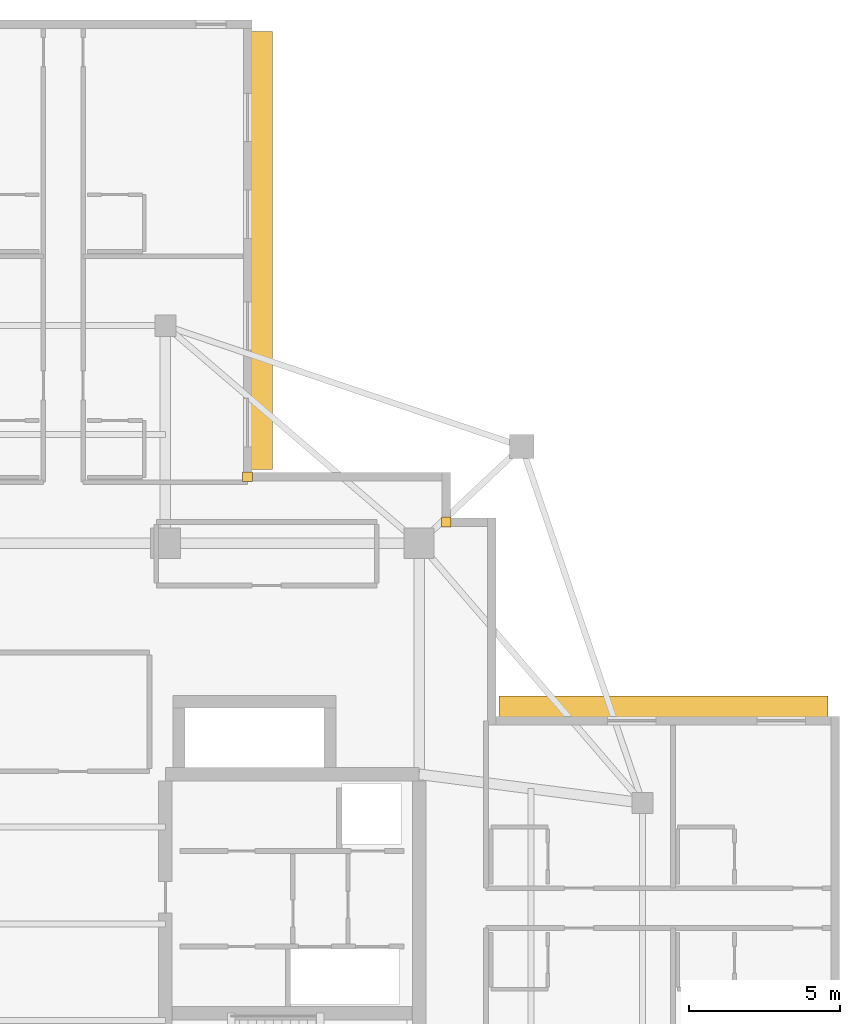
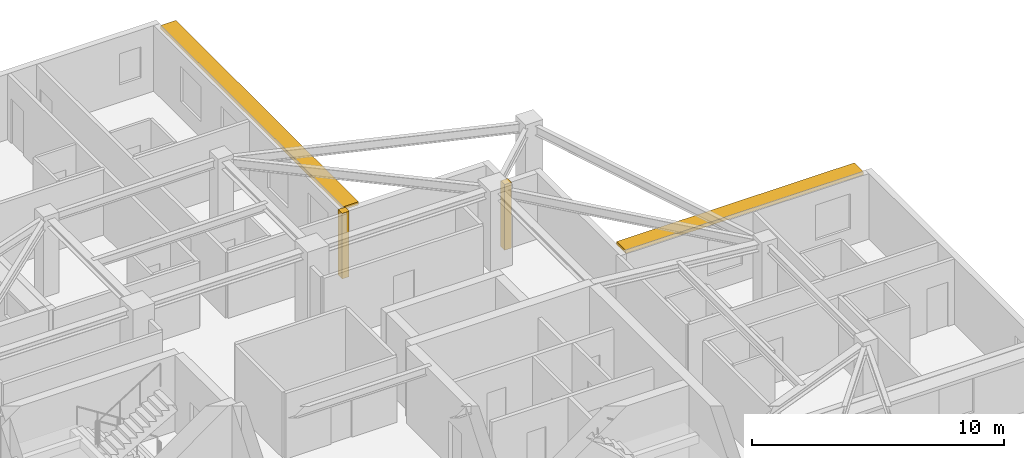
# One storey, part 12 of 12: 2 coverings, 2 shading devices.
"""IFC4 building model written with IfcOpenShell, lengths in metres."""

from ifc_helpers import new_model, si_unit, direction, frame, origin, origin_2d, place, context, subcontext, project, spatial, rectangle, extrude, material, layer, layer_set, type_object, element, save


model = new_model("IFC4")

# Units and contexts
model_context = context("Model", 3, precision=1e-05, world=origin(), true_north=direction((0.0, 1.0)))
body_context = subcontext(model_context, "Body", "Model", "MODEL_VIEW")
ifc_project = project(units=[si_unit("LENGTHUNIT", "METRE"), si_unit("AREAUNIT", "SQUARE_METRE"), si_unit("VOLUMEUNIT", "CUBIC_METRE"), si_unit("PLANEANGLEUNIT", "RADIAN"), si_unit("MASSUNIT", "GRAM", prefix="KILO")], contexts=[model_context])

# Site, building, storey
site_placement = place(None, origin())
site = spatial("IfcSite", under=ifc_project, at=site_placement, CompositionType="ELEMENT")
building_placement = place(site_placement, origin())
building = spatial("IfcBuilding", under=site, at=building_placement, Name="Qingluan Cross Belvedere", CompositionType="ELEMENT")
storey_placement = place(building_placement, frame((0.0, 0.0, 265.5)))
storey = spatial("IfcBuildingStorey", under=building, at=storey_placement, Name="L66", CompositionType="ELEMENT", Elevation=265.5)

# Coverings
ifc_material_1 = material(Name="Precast concrete C45", Category="concrete")
ifc_layer_1 = layer(ifc_material_1, 0.1201171875, Name="ConcreteSpandrelCladding_120")
ifc_layer_set_1 = layer_set([ifc_layer_1], Name="Precast concrete C45")
covering_type = type_object("IfcCoveringType", Name="ConcreteSpandrelCladding_120", PredefinedType="CLADDING", material=ifc_layer_set_1)
for number, where, z_axis, x_axis, name in (
    (1, (13.300048828125, 13.300048828125, 0.0), (0.0, 0.0, 1.0), (1.0, 0.0, 0.0), "Corner closure L66-NE1"),
    (2, (6.719970703125, 14.800048828125, 0.0), (0.0, 0.0, 1.0), (1.0, 0.0, 0.0), "Corner closure L66-NE2"),
):
    element("IfcCovering", number, at=place(storey_placement, frame(where, z_axis=z_axis, x_axis=x_axis)), inside=storey, type_object=covering_type, Name=name, PredefinedType="CLADDING", context=body_context, shape_type="SweptSolid", body=[
        extrude(rectangle(XDim=0.320068359375, YDim=0.320068359375, at=origin_2d()), origin(), (0.0, 0.0, 1.0), 3.179931640625),
    ])

# Shading devices
ifc_material_2 = material(Name="Precast concrete C45", Category="concrete")
ifc_layer_2 = layer(ifc_material_2, 0.139892578125, Name="ConcreteSunshadeBand_700")
ifc_layer_set_2 = layer_set([ifc_layer_2], Name="Precast concrete C45")
shading_device_type = type_object("IfcShadingDeviceType", Name="ConcreteSunshadeBand_700", PredefinedType="USERDEFINED", material=ifc_layer_set_2)
shading_device_1_placement = place(storey_placement, frame((20.489990234375, 7.18994140625, 3.0), z_axis=(0.0, 0.0, 1.0), x_axis=(-1.0, 0.0, 0.0)))
element("IfcShadingDevice", 3, at=shading_device_1_placement, inside=storey, type_object=shading_device_type, Name="Concrete SUNSHADE L66-EB", ObjectType="SUNSHADE", PredefinedType="USERDEFINED", context=body_context, shape_type="SweptSolid", body=[
    extrude(rectangle(XDim=10.89990234375, YDim=0.699951171875, at=origin_2d()), origin(), (0.0, 0.0, 1.0), 0.159912109375),
])
shading_device_2_placement = place(storey_placement, frame((7.18994140625, 22.2900390625, 3.0), z_axis=(0.0, 0.0, 1.0), x_axis=(0.0, 1.0, 0.0)))
element("IfcShadingDevice", 4, at=shading_device_2_placement, inside=storey, type_object=shading_device_type, Name="Concrete SUNSHADE L66-NA", ObjectType="SUNSHADE", PredefinedType="USERDEFINED", context=body_context, shape_type="SweptSolid", body=[
    extrude(rectangle(XDim=14.5, YDim=0.699951171875, at=origin_2d()), origin(), (0.0, 0.0, 1.0), 0.159912109375),
])

save(model, "model.ifc")
